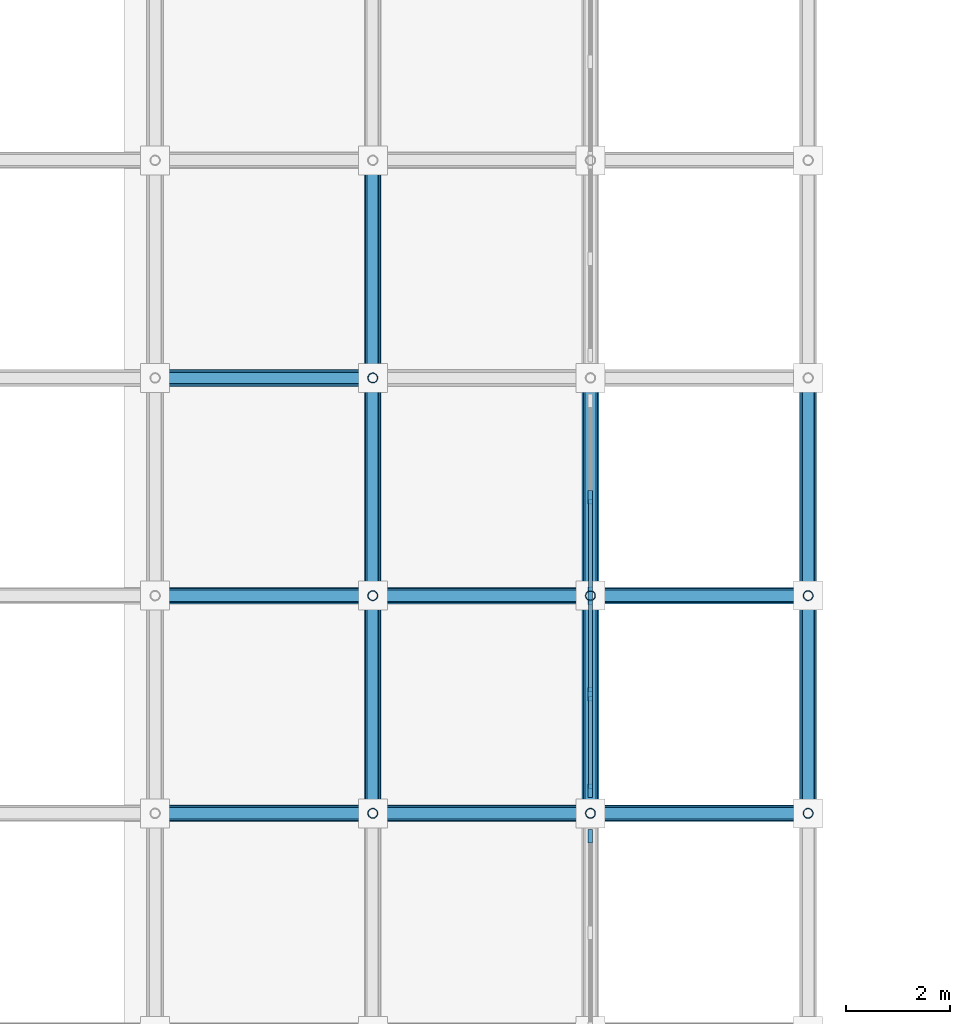
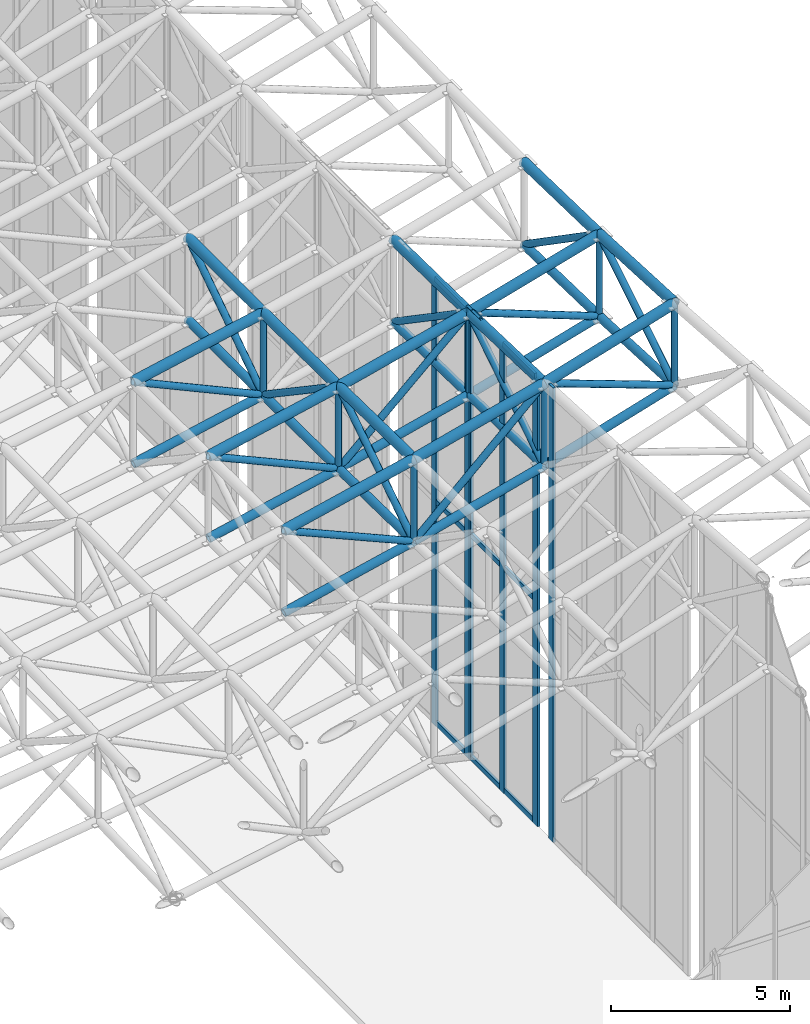
# One storey, part 41 of 93: 64 members, 3 elements without a shape of their own.
"""IFC4 building model written with IfcOpenShell, lengths in metres."""

from ifc_helpers import new_model, si_unit, direction, frame, origin, origin_2d, place, context, subcontext, project, spatial, rectangle, hollow_circle, extrude, material, material_profile, profile_set, type_object, element, aggregate, save


model = new_model("IFC4")

# Units and contexts
model_context = context("Model", 3, precision=1e-05, world=origin(), true_north=direction((0.0, 1.0)))
body_context = subcontext(model_context, "Body", "Model", "MODEL_VIEW")
ifc_project = project(units=[si_unit("LENGTHUNIT", "METRE"), si_unit("AREAUNIT", "SQUARE_METRE"), si_unit("VOLUMEUNIT", "CUBIC_METRE"), si_unit("PLANEANGLEUNIT", "RADIAN"), si_unit("MASSUNIT", "GRAM", prefix="KILO")], contexts=[model_context])

# Site, building, storey
site_placement = place(None, origin())
site = spatial("IfcSite", under=ifc_project, at=site_placement, CompositionType="ELEMENT")
building_placement = place(site_placement, origin())
building = spatial("IfcBuilding", under=site, at=building_placement, Name="Cumbredor Promenade Congress Hotel", CompositionType="ELEMENT")
storey_placement = place(building_placement, frame((0.0, 0.0, 21.840087890625)))
storey = spatial("IfcBuildingStorey", under=building, at=storey_placement, Name="L06", CompositionType="ELEMENT", Elevation=21.840087890625)

# Curtain wall, member
ifc_material_1 = material(Name="Thermally broken anodized aluminium and low-E glass", Category="aluminium")
curtain_wall_type = type_object("IfcCurtainWallType", Name="Stepped Pavilion Clerestory Curtain Wall CW-06", PredefinedType="NOTDEFINED", material=ifc_material_1)
curtain_wall_1_placement = place(storey_placement, origin())
curtain_wall_1 = element("IfcCurtainWall", 1, at=curtain_wall_1_placement, inside=storey, type_object=curtain_wall_type, Name="Plenary Congress Hall E Glazed Clerestory 4", PredefinedType="NOTDEFINED")
ifc_material_2 = material(Name="Thermally broken anodized aluminium", Category="aluminium")
ifc_material_profile_1 = material_profile(ifc_material_2, rectangle(XDim=0.0849609375, YDim=0.260009765625, at=origin_2d()), Name="ALU MULLION CLERESTORY 85x260")
ifc_profile_set_1 = profile_set([ifc_material_profile_1], Name="Thermally broken anodized aluminium")
member_type_1 = type_object("IfcMemberType", Name="Curtain Wall Mullion ML-04", PredefinedType="MULLION", material=ifc_profile_set_1)
member_1_placement = place(storey_placement, frame((67.199951171875, 24.760009765625, -0.01806640625), z_axis=(0.0, 0.0, 1.0), x_axis=(1.0, 0.0, 0.0)))
member_1 = element("IfcMember", 2, at=member_1_placement, type_object=member_type_1, Name="Plenary Congress Hall E Glazed Clerestory 4 Mullion 3", PredefinedType="MULLION", context=body_context, shape_type="SweptSolid", body=[
    extrude(rectangle(XDim=0.0849609375, YDim=0.260009765625, at=origin_2d()), origin(), (0.0, 0.0, 1.0), 15.48779296875),
])
aggregate(curtain_wall_1, [member_1])

# Curtain wall, members
curtain_wall_2_placement = place(storey_placement, origin())
curtain_wall_2 = element("IfcCurtainWall", 3, at=curtain_wall_2_placement, inside=storey, type_object=curtain_wall_type, Name="Plenary Congress Hall E Glazed Clerestory 5", PredefinedType="NOTDEFINED")
member_2_placement = place(storey_placement, frame((67.199951171875, 25.639892578125, -0.01806640625), z_axis=(0.0, 0.0, 1.0), x_axis=(1.0, 0.0, 0.0)))
member_2 = element("IfcMember", 4, at=member_2_placement, type_object=member_type_1, Name="Plenary Congress Hall E Glazed Clerestory 5 Mullion 1", PredefinedType="MULLION", context=body_context, shape_type="SweptSolid", body=[
    extrude(rectangle(XDim=0.0849609375, YDim=0.260009765625, at=origin_2d()), origin(), (0.0, 0.0, 1.0), 15.355712890625),
])
member_3_placement = place(storey_placement, frame((67.199951171875, 27.5, -0.01806640625), z_axis=(0.0, 0.0, 1.0), x_axis=(1.0, 0.0, 0.0)))
member_3 = element("IfcMember", 5, at=member_3_placement, type_object=member_type_1, Name="Plenary Congress Hall E Glazed Clerestory 5 Mullion 2", PredefinedType="MULLION", context=body_context, shape_type="SweptSolid", body=[
    extrude(rectangle(XDim=0.0849609375, YDim=0.260009765625, at=origin_2d()), origin(), (0.0, 0.0, 1.0), 15.355712890625),
])
member_4_placement = place(storey_placement, frame((67.199951171875, 29.360107421875, -0.01806640625), z_axis=(0.0, 0.0, 1.0), x_axis=(1.0, 0.0, 0.0)))
member_4 = element("IfcMember", 6, at=member_4_placement, type_object=member_type_1, Name="Plenary Congress Hall E Glazed Clerestory 5 Mullion 3", PredefinedType="MULLION", context=body_context, shape_type="SweptSolid", body=[
    extrude(rectangle(XDim=0.0849609375, YDim=0.260009765625, at=origin_2d()), origin(), (0.0, 0.0, 1.0), 15.355712890625),
])

curtain_wall_3_placement = place(storey_placement, origin())
curtain_wall_3 = element("IfcCurtainWall", 7, at=curtain_wall_3_placement, inside=storey, type_object=curtain_wall_type, Name="Plenary Congress Hall E Glazed Clerestory 6", PredefinedType="NOTDEFINED")
member_5_placement = place(storey_placement, frame((67.199951171875, 29.43994140625, -0.01806640625), z_axis=(0.0, 0.0, 1.0), x_axis=(1.0, 0.0, 0.0)))
member_5 = element("IfcMember", 8, at=member_5_placement, type_object=member_type_1, Name="Plenary Congress Hall E Glazed Clerestory 6 Mullion 1", PredefinedType="MULLION", context=body_context, shape_type="SweptSolid", body=[
    extrude(rectangle(XDim=0.0849609375, YDim=0.260009765625, at=origin_2d()), origin(), (0.0, 0.0, 1.0), 15.290283203125),
])
member_6_placement = place(storey_placement, frame((67.199951171875, 31.300048828125, -0.01806640625), z_axis=(0.0, 0.0, 1.0), x_axis=(1.0, 0.0, 0.0)))
member_6 = element("IfcMember", 9, at=member_6_placement, type_object=member_type_1, Name="Plenary Congress Hall E Glazed Clerestory 6 Mullion 2", PredefinedType="MULLION", context=body_context, shape_type="SweptSolid", body=[
    extrude(rectangle(XDim=0.0849609375, YDim=0.260009765625, at=origin_2d()), origin(), (0.0, 0.0, 1.0), 15.290283203125),
])

# Member
ifc_material_profile_2 = material_profile(ifc_material_2, rectangle(XDim=0.080078125, YDim=0.179931640625, at=origin_2d()), Name="ALU TRANSOM 80x180")
ifc_profile_set_2 = profile_set([ifc_material_profile_2], Name="Thermally broken anodized aluminium")
member_type_2 = type_object("IfcMemberType", Name="Curtain Wall Transom TR-03", PredefinedType="USERDEFINED", material=ifc_profile_set_2)
member_7_placement = place(storey_placement, frame((67.199951171875, 25.6826171875, 0.079833984375), z_axis=(0.0, 1.0, 0.0), x_axis=(-1.0, 0.0, 0.0)))
member_7 = element("IfcMember", 10, at=member_7_placement, type_object=member_type_2, Name="Plenary Congress Hall E Glazed Clerestory 5 Transom 1.1", ObjectType="TRANSOM", PredefinedType="USERDEFINED", context=body_context, shape_type="SweptSolid", body=[
    extrude(rectangle(XDim=0.080078125, YDim=0.179931640625, at=origin_2d()), origin(), (0.0, 0.0, 1.0), 1.77490234375),
])

member_8_placement = place(storey_placement, frame((67.199951171875, 25.6826171875, 7.659912109375), z_axis=(0.0, 1.0, 0.0), x_axis=(-1.0, 0.0, 0.0)))
member_8 = element("IfcMember", 11, at=member_8_placement, type_object=member_type_2, Name="Plenary Congress Hall E Glazed Clerestory 5 Transom 1.2", ObjectType="TRANSOM", PredefinedType="USERDEFINED", context=body_context, shape_type="SweptSolid", body=[
    extrude(rectangle(XDim=0.080078125, YDim=0.179931640625, at=origin_2d()), origin(), (0.0, 0.0, 1.0), 1.77490234375),
])

member_9_placement = place(storey_placement, frame((67.199951171875, 25.6826171875, 15.239990234375), z_axis=(0.0, 1.0, 0.0), x_axis=(-1.0, 0.0, 0.0)))
member_9 = element("IfcMember", 12, at=member_9_placement, type_object=member_type_2, Name="Plenary Congress Hall E Glazed Clerestory 5 Transom 1.3", ObjectType="TRANSOM", PredefinedType="USERDEFINED", context=body_context, shape_type="SweptSolid", body=[
    extrude(rectangle(XDim=0.080078125, YDim=0.179931640625, at=origin_2d()), origin(), (0.0, 0.0, 1.0), 1.77490234375),
])

member_10_placement = place(storey_placement, frame((67.199951171875, 27.54248046875, 0.079833984375), z_axis=(0.0, 1.0, 0.0), x_axis=(-1.0, 0.0, 0.0)))
member_10 = element("IfcMember", 13, at=member_10_placement, type_object=member_type_2, Name="Plenary Congress Hall E Glazed Clerestory 5 Transom 2.1", ObjectType="TRANSOM", PredefinedType="USERDEFINED", context=body_context, shape_type="SweptSolid", body=[
    extrude(rectangle(XDim=0.080078125, YDim=0.179931640625, at=origin_2d()), origin(), (0.0, 0.0, 1.0), 1.77490234375),
])

member_11_placement = place(storey_placement, frame((67.199951171875, 27.54248046875, 7.659912109375), z_axis=(0.0, 1.0, 0.0), x_axis=(-1.0, 0.0, 0.0)))
member_11 = element("IfcMember", 14, at=member_11_placement, type_object=member_type_2, Name="Plenary Congress Hall E Glazed Clerestory 5 Transom 2.2", ObjectType="TRANSOM", PredefinedType="USERDEFINED", context=body_context, shape_type="SweptSolid", body=[
    extrude(rectangle(XDim=0.080078125, YDim=0.179931640625, at=origin_2d()), origin(), (0.0, 0.0, 1.0), 1.77490234375),
])

member_12_placement = place(storey_placement, frame((67.199951171875, 27.54248046875, 15.239990234375), z_axis=(0.0, 1.0, 0.0), x_axis=(-1.0, 0.0, 0.0)))
member_12 = element("IfcMember", 15, at=member_12_placement, type_object=member_type_2, Name="Plenary Congress Hall E Glazed Clerestory 5 Transom 2.3", ObjectType="TRANSOM", PredefinedType="USERDEFINED", context=body_context, shape_type="SweptSolid", body=[
    extrude(rectangle(XDim=0.080078125, YDim=0.179931640625, at=origin_2d()), origin(), (0.0, 0.0, 1.0), 1.77490234375),
])

aggregate(curtain_wall_2, [member_2, member_3, member_4, member_7, member_8, member_9, member_10, member_11, member_12])

member_13_placement = place(storey_placement, frame((67.199951171875, 29.482421875, 0.079833984375), z_axis=(0.0, 1.0, 0.0), x_axis=(-1.0, 0.0, 0.0)))
member_13 = element("IfcMember", 16, at=member_13_placement, type_object=member_type_2, Name="Plenary Congress Hall E Glazed Clerestory 6 Transom 1.1", ObjectType="TRANSOM", PredefinedType="USERDEFINED", context=body_context, shape_type="SweptSolid", body=[
    extrude(rectangle(XDim=0.080078125, YDim=0.179931640625, at=origin_2d()), origin(), (0.0, 0.0, 1.0), 1.775146484375),
])

member_14_placement = place(storey_placement, frame((67.199951171875, 29.482421875, 7.619873046875), z_axis=(0.0, 1.0, 0.0), x_axis=(-1.0, 0.0, 0.0)))
member_14 = element("IfcMember", 17, at=member_14_placement, type_object=member_type_2, Name="Plenary Congress Hall E Glazed Clerestory 6 Transom 1.2", ObjectType="TRANSOM", PredefinedType="USERDEFINED", context=body_context, shape_type="SweptSolid", body=[
    extrude(rectangle(XDim=0.080078125, YDim=0.179931640625, at=origin_2d()), origin(), (0.0, 0.0, 1.0), 1.775146484375),
])

member_15_placement = place(storey_placement, frame((67.199951171875, 29.482421875, 15.169921875), z_axis=(0.0, 1.0, 0.0), x_axis=(-1.0, 0.0, 0.0)))
member_15 = element("IfcMember", 18, at=member_15_placement, type_object=member_type_2, Name="Plenary Congress Hall E Glazed Clerestory 6 Transom 1.3", ObjectType="TRANSOM", PredefinedType="USERDEFINED", context=body_context, shape_type="SweptSolid", body=[
    extrude(rectangle(XDim=0.080078125, YDim=0.179931640625, at=origin_2d()), origin(), (0.0, 0.0, 1.0), 1.775146484375),
])

aggregate(curtain_wall_3, [member_5, member_6, member_13, member_14, member_15])

# Members
ifc_material_3 = material(Name="Steel ASTM A500 Grade C", Category="steel")
ifc_material_profile_3 = material_profile(ifc_material_3, hollow_circle(Radius=0.136474609375, WallThickness=0.01611328125, at=origin_2d()), Name="CHS 273.0x16")
ifc_profile_set_3 = profile_set([ifc_material_profile_3], Name="Steel ASTM A500 Grade C")
member_type_3 = type_object("IfcMemberType", Name="Plenary Roof Space Frame Bottom Chord", PredefinedType="CHORD", material=ifc_profile_set_3)
member_16_placement = place(storey_placement, frame((58.800048828125, 25.199951171875, 10.40380859375), z_axis=(0.974613195846, 0.0, 0.223895329302), x_axis=(0.0, 1.0, 0.0)))
element("IfcMember", 19, at=member_16_placement, inside=storey, type_object=member_type_3, Name="Plenary Congress Hall X Bottom Chord 16.7", PredefinedType="CHORD", context=body_context, shape_type="SweptSolid", body=[
    extrude(hollow_circle(Radius=0.136474609375, WallThickness=0.01611328125, at=origin_2d()), origin(), (0.0, 0.0, 1.0), 4.309326171875),
])
member_17_placement = place(storey_placement, frame((63.0, 25.199951171875, 11.36865234375), z_axis=(0.966632009947, 0.0, 0.256169001532), x_axis=(0.0, 1.0, 0.0)))
element("IfcMember", 20, at=member_17_placement, inside=storey, type_object=member_type_3, Name="Plenary Congress Hall X Bottom Chord 17.7", PredefinedType="CHORD", context=body_context, shape_type="SweptSolid", body=[
    extrude(hollow_circle(Radius=0.136474609375, WallThickness=0.01611328125, at=origin_2d()), origin(), (0.0, 0.0, 1.0), 4.344970703125),
])
member_18_placement = place(storey_placement, frame((67.199951171875, 25.199951171875, 12.481689453125), z_axis=(0.957410180843, 0.0, 0.288731268861), x_axis=(0.0, 1.0, 0.0)))
element("IfcMember", 21, at=member_18_placement, inside=storey, type_object=member_type_3, Name="Plenary Congress Hall X Bottom Chord 18.7", PredefinedType="CHORD", context=body_context, shape_type="SweptSolid", body=[
    extrude(hollow_circle(Radius=0.136474609375, WallThickness=0.01611328125, at=origin_2d()), origin(), (0.0, 0.0, 1.0), 4.38671875),
])
member_19_placement = place(storey_placement, frame((58.800048828125, 29.39990234375, 10.3876953125), z_axis=(0.977279815968, 0.0, 0.211953205451), x_axis=(0.0, 1.0, 0.0)))
element("IfcMember", 22, at=member_19_placement, inside=storey, type_object=member_type_3, Name="Plenary Congress Hall X Bottom Chord 16.8", PredefinedType="CHORD", context=body_context, shape_type="SweptSolid", body=[
    extrude(hollow_circle(Radius=0.136474609375, WallThickness=0.01611328125, at=origin_2d()), origin(), (0.0, 0.0, 1.0), 4.297607421875),
])
member_20_placement = place(storey_placement, frame((63.0, 29.39990234375, 11.298583984375), z_axis=(0.970086083405, 0.0, 0.242761180553), x_axis=(0.0, 1.0, 0.0)))
element("IfcMember", 23, at=member_20_placement, inside=storey, type_object=member_type_3, Name="Plenary Congress Hall X Bottom Chord 17.8", PredefinedType="CHORD", context=body_context, shape_type="SweptSolid", body=[
    extrude(hollow_circle(Radius=0.136474609375, WallThickness=0.01611328125, at=origin_2d()), origin(), (0.0, 0.0, 1.0), 4.329345703125),
])
member_21_placement = place(storey_placement, frame((67.199951171875, 29.39990234375, 12.349609375), z_axis=(0.961806149234, 0.0, 0.273731494893), x_axis=(0.0, 1.0, 0.0)))
element("IfcMember", 24, at=member_21_placement, inside=storey, type_object=member_type_3, Name="Plenary Congress Hall X Bottom Chord 18.8", PredefinedType="CHORD", context=body_context, shape_type="SweptSolid", body=[
    extrude(hollow_circle(Radius=0.136474609375, WallThickness=0.01611328125, at=origin_2d()), origin(), (0.0, 0.0, 1.0), 4.36669921875),
])
member_22_placement = place(storey_placement, frame((58.800048828125, 33.60009765625, 10.379638671875), z_axis=(0.978557630203, 0.0, 0.205973212752), x_axis=(0.0, 1.0, 0.0)))
element("IfcMember", 25, at=member_22_placement, inside=storey, type_object=member_type_3, Name="Plenary Congress Hall X Bottom Chord 16.9", PredefinedType="CHORD", context=body_context, shape_type="SweptSolid", body=[
    extrude(hollow_circle(Radius=0.136474609375, WallThickness=0.01611328125, at=origin_2d()), origin(), (0.0, 0.0, 1.0), 4.2919921875),
])
for number, where, z_axis, x_axis, name in (
    (26, (63.0, 25.199951171875, 11.36865234375), (0.0, 0.999860865519, -0.016680815463), (-1.0, 0.0, 0.0), "Plenary Congress Hall Y Bottom Chord 17.7"),
    (27, (63.0, 29.39990234375, 11.298583984375), (0.0, 0.999965456948, -0.008311733338), (-1.0, 0.0, 0.0), "Plenary Congress Hall Y Bottom Chord 17.8"),
):
    element("IfcMember", number, at=place(storey_placement, frame(where, z_axis=z_axis, x_axis=x_axis)), inside=storey, type_object=member_type_3, Name=name, PredefinedType="CHORD", context=body_context, shape_type="SweptSolid", body=[
        extrude(hollow_circle(Radius=0.136474609375, WallThickness=0.01611328125, at=origin_2d()), origin(), (0.0, 0.0, 1.0), 4.200439453125),
    ])
member_23_placement = place(storey_placement, frame((63.0, 33.60009765625, 11.263671875), z_axis=(0.0, 1.0, 0.0), x_axis=(-1.0, 0.0, 0.0)))
element("IfcMember", 28, at=member_23_placement, inside=storey, type_object=member_type_3, Name="Plenary Congress Hall Y Bottom Chord 17.9", PredefinedType="CHORD", context=body_context, shape_type="SweptSolid", body=[
    extrude(hollow_circle(Radius=0.136474609375, WallThickness=0.01611328125, at=origin_2d()), origin(), (0.0, 0.0, 1.0), 4.199951171875),
])
member_24_placement = place(storey_placement, frame((67.199951171875, 25.199951171875, 12.481689453125), z_axis=(0.0, 0.999505878022, -0.031432464106), x_axis=(-1.0, 0.0, 0.0)))
element("IfcMember", 29, at=member_24_placement, inside=storey, type_object=member_type_3, Name="Plenary Congress Hall Y Bottom Chord 18.7", PredefinedType="CHORD", context=body_context, shape_type="SweptSolid", body=[
    extrude(hollow_circle(Radius=0.136474609375, WallThickness=0.01611328125, at=origin_2d()), origin(), (0.0, 0.0, 1.0), 4.2021484375),
])
member_25_placement = place(storey_placement, frame((67.199951171875, 29.39990234375, 12.349609375), z_axis=(0.0, 0.999878688579, -0.015575882849), x_axis=(-1.0, 0.0, 0.0)))
element("IfcMember", 30, at=member_25_placement, inside=storey, type_object=member_type_3, Name="Plenary Congress Hall Y Bottom Chord 18.8", PredefinedType="CHORD", context=body_context, shape_type="SweptSolid", body=[
    extrude(hollow_circle(Radius=0.136474609375, WallThickness=0.01611328125, at=origin_2d()), origin(), (0.0, 0.0, 1.0), 4.20068359375),
])
member_26_placement = place(storey_placement, frame((71.39990234375, 25.199951171875, 13.748291015625), z_axis=(0.0, 0.99882972281, -0.048365119985), x_axis=(-1.0, 0.0, 0.0)))
element("IfcMember", 31, at=member_26_placement, inside=storey, type_object=member_type_3, Name="Plenary Congress Hall Y Bottom Chord 19.7", PredefinedType="CHORD", context=body_context, shape_type="SweptSolid", body=[
    extrude(hollow_circle(Radius=0.136474609375, WallThickness=0.01611328125, at=origin_2d()), origin(), (0.0, 0.0, 1.0), 4.204833984375),
])
member_27_placement = place(storey_placement, frame((71.39990234375, 29.39990234375, 13.544921875), z_axis=(0.0, 0.999707781705, -0.024173357195), x_axis=(-1.0, 0.0, 0.0)))
element("IfcMember", 32, at=member_27_placement, inside=storey, type_object=member_type_3, Name="Plenary Congress Hall Y Bottom Chord 19.8", PredefinedType="CHORD", context=body_context, shape_type="SweptSolid", body=[
    extrude(hollow_circle(Radius=0.136474609375, WallThickness=0.01611328125, at=origin_2d()), origin(), (0.0, 0.0, 1.0), 4.201416015625),
])
ifc_material_profile_4 = material_profile(ifc_material_3, hollow_circle(Radius=0.161865234375, WallThickness=0.01611328125, at=origin_2d()), Name="CHS 323.9x16")
ifc_profile_set_4 = profile_set([ifc_material_profile_4], Name="Steel ASTM A500 Grade C")
member_type_4 = type_object("IfcMemberType", Name="Plenary Roof Space Frame Top Chord", PredefinedType="CHORD", material=ifc_profile_set_4)
member_28_placement = place(storey_placement, frame((58.800048828125, 25.199951171875, 13.20361328125), z_axis=(0.974600832042, 0.0, 0.223949141956), x_axis=(0.0, 1.0, 0.0)))
element("IfcMember", 33, at=member_28_placement, inside=storey, type_object=member_type_4, Name="Plenary Congress Hall X Top Chord 16.7", PredefinedType="CHORD", context=body_context, shape_type="SweptSolid", body=[
    extrude(hollow_circle(Radius=0.161865234375, WallThickness=0.01611328125, at=origin_2d()), origin(), (0.0, 0.0, 1.0), 4.309326171875),
])
member_29_placement = place(storey_placement, frame((63.0, 25.199951171875, 14.168701171875), z_axis=(0.966645922489, 0.0, 0.256116497977), x_axis=(0.0, 1.0, 0.0)))
element("IfcMember", 34, at=member_29_placement, inside=storey, type_object=member_type_4, Name="Plenary Congress Hall X Top Chord 17.7", PredefinedType="CHORD", context=body_context, shape_type="SweptSolid", body=[
    extrude(hollow_circle(Radius=0.161865234375, WallThickness=0.01611328125, at=origin_2d()), origin(), (0.0, 0.0, 1.0), 4.344970703125),
])
member_30_placement = place(storey_placement, frame((67.199951171875, 25.199951171875, 15.281494140625), z_axis=(0.957394795149, 0.0, 0.288782281697), x_axis=(0.0, 1.0, 0.0)))
element("IfcMember", 35, at=member_30_placement, inside=storey, type_object=member_type_4, Name="Plenary Congress Hall X Top Chord 18.7", PredefinedType="CHORD", context=body_context, shape_type="SweptSolid", body=[
    extrude(hollow_circle(Radius=0.161865234375, WallThickness=0.01611328125, at=origin_2d()), origin(), (0.0, 0.0, 1.0), 4.386962890625),
])
member_31_placement = place(storey_placement, frame((58.800048828125, 29.39990234375, 13.1875), z_axis=(0.97726804739, 0.0, 0.212007461074), x_axis=(0.0, 1.0, 0.0)))
element("IfcMember", 36, at=member_31_placement, inside=storey, type_object=member_type_4, Name="Plenary Congress Hall X Top Chord 16.8", PredefinedType="CHORD", context=body_context, shape_type="SweptSolid", body=[
    extrude(hollow_circle(Radius=0.161865234375, WallThickness=0.01611328125, at=origin_2d()), origin(), (0.0, 0.0, 1.0), 4.297607421875),
])
member_32_placement = place(storey_placement, frame((63.0, 29.39990234375, 14.0986328125), z_axis=(0.970086083405, 0.0, 0.242761180553), x_axis=(0.0, 1.0, 0.0)))
element("IfcMember", 37, at=member_32_placement, inside=storey, type_object=member_type_4, Name="Plenary Congress Hall X Top Chord 17.8", PredefinedType="CHORD", context=body_context, shape_type="SweptSolid", body=[
    extrude(hollow_circle(Radius=0.161865234375, WallThickness=0.01611328125, at=origin_2d()), origin(), (0.0, 0.0, 1.0), 4.329345703125),
])
member_33_placement = place(storey_placement, frame((67.199951171875, 29.39990234375, 15.149658203125), z_axis=(0.961806149234, 0.0, 0.273731494893), x_axis=(0.0, 1.0, 0.0)))
element("IfcMember", 38, at=member_33_placement, inside=storey, type_object=member_type_4, Name="Plenary Congress Hall X Top Chord 18.8", PredefinedType="CHORD", context=body_context, shape_type="SweptSolid", body=[
    extrude(hollow_circle(Radius=0.161865234375, WallThickness=0.01611328125, at=origin_2d()), origin(), (0.0, 0.0, 1.0), 4.36669921875),
])
member_34_placement = place(storey_placement, frame((58.800048828125, 33.60009765625, 13.1796875), z_axis=(0.978557630203, 0.0, 0.205973212752), x_axis=(0.0, 1.0, 0.0)))
element("IfcMember", 39, at=member_34_placement, inside=storey, type_object=member_type_4, Name="Plenary Congress Hall X Top Chord 16.9", PredefinedType="CHORD", context=body_context, shape_type="SweptSolid", body=[
    extrude(hollow_circle(Radius=0.161865234375, WallThickness=0.01611328125, at=origin_2d()), origin(), (0.0, 0.0, 1.0), 4.2919921875),
])
for number, where, z_axis, x_axis, name in (
    (40, (63.0, 25.199951171875, 14.168701171875), (0.0, 0.999860865519, -0.016680815463), (-1.0, 0.0, 0.0), "Plenary Congress Hall Y Top Chord 17.7"),
    (41, (63.0, 29.39990234375, 14.0986328125), (0.0, 0.999965456948, -0.008311733338), (-1.0, 0.0, 0.0), "Plenary Congress Hall Y Top Chord 17.8"),
):
    element("IfcMember", number, at=place(storey_placement, frame(where, z_axis=z_axis, x_axis=x_axis)), inside=storey, type_object=member_type_4, Name=name, PredefinedType="CHORD", context=body_context, shape_type="SweptSolid", body=[
        extrude(hollow_circle(Radius=0.161865234375, WallThickness=0.01611328125, at=origin_2d()), origin(), (0.0, 0.0, 1.0), 4.200439453125),
    ])
member_35_placement = place(storey_placement, frame((63.0, 33.60009765625, 14.063720703125), z_axis=(0.0, 1.0, 0.0), x_axis=(-1.0, 0.0, 0.0)))
element("IfcMember", 42, at=member_35_placement, inside=storey, type_object=member_type_4, Name="Plenary Congress Hall Y Top Chord 17.9", PredefinedType="CHORD", context=body_context, shape_type="SweptSolid", body=[
    extrude(hollow_circle(Radius=0.161865234375, WallThickness=0.01611328125, at=origin_2d()), origin(), (0.0, 0.0, 1.0), 4.199951171875),
])
member_36_placement = place(storey_placement, frame((67.199951171875, 25.199951171875, 15.281494140625), z_axis=(0.0, 0.999507701685, -0.031374420677), x_axis=(-1.0, 0.0, 0.0)))
element("IfcMember", 43, at=member_36_placement, inside=storey, type_object=member_type_4, Name="Plenary Congress Hall Y Top Chord 18.7", PredefinedType="CHORD", context=body_context, shape_type="SweptSolid", body=[
    extrude(hollow_circle(Radius=0.161865234375, WallThickness=0.01611328125, at=origin_2d()), origin(), (0.0, 0.0, 1.0), 4.201904296875),
])
member_37_placement = place(storey_placement, frame((67.199951171875, 29.39990234375, 15.149658203125), z_axis=(0.0, 0.999878688579, -0.015575882849), x_axis=(-1.0, 0.0, 0.0)))
element("IfcMember", 44, at=member_37_placement, inside=storey, type_object=member_type_4, Name="Plenary Congress Hall Y Top Chord 18.8", PredefinedType="CHORD", context=body_context, shape_type="SweptSolid", body=[
    extrude(hollow_circle(Radius=0.161865234375, WallThickness=0.01611328125, at=origin_2d()), origin(), (0.0, 0.0, 1.0), 4.20068359375),
])
member_38_placement = place(storey_placement, frame((71.39990234375, 25.199951171875, 16.54833984375), z_axis=(0.0, 0.99882972281, -0.048365119985), x_axis=(-1.0, 0.0, 0.0)))
element("IfcMember", 45, at=member_38_placement, inside=storey, type_object=member_type_4, Name="Plenary Congress Hall Y Top Chord 19.7", PredefinedType="CHORD", context=body_context, shape_type="SweptSolid", body=[
    extrude(hollow_circle(Radius=0.161865234375, WallThickness=0.01611328125, at=origin_2d()), origin(), (0.0, 0.0, 1.0), 4.204833984375),
])
member_39_placement = place(storey_placement, frame((71.39990234375, 29.39990234375, 16.344970703125), z_axis=(0.0, 0.999707781705, -0.024173357195), x_axis=(-1.0, 0.0, 0.0)))
element("IfcMember", 46, at=member_39_placement, inside=storey, type_object=member_type_4, Name="Plenary Congress Hall Y Top Chord 19.8", PredefinedType="CHORD", context=body_context, shape_type="SweptSolid", body=[
    extrude(hollow_circle(Radius=0.161865234375, WallThickness=0.01611328125, at=origin_2d()), origin(), (0.0, 0.0, 1.0), 4.201416015625),
])
ifc_material_profile_5 = material_profile(ifc_material_3, hollow_circle(Radius=0.109619140625, WallThickness=0.012451171875, at=origin_2d()), Name="CHS 219.1x12.5")
ifc_profile_set_5 = profile_set([ifc_material_profile_5], Name="Steel ASTM A500 Grade C")
member_type_5 = type_object("IfcMemberType", Name="Space Frame Web Diagonal D1", PredefinedType="BRACE", material=ifc_profile_set_5)
member_40_placement = place(storey_placement, frame((58.800048828125, 25.199951171875, 13.20361328125), z_axis=(0.916358936382, 0.0, -0.400357714692), x_axis=(0.0, 1.0, 0.0)))
element("IfcMember", 47, at=member_40_placement, inside=storey, type_object=member_type_5, Name="Plenary Congress Hall X Web Diagonal 16.7", PredefinedType="BRACE", context=body_context, shape_type="SweptSolid", body=[
    extrude(hollow_circle(Radius=0.109619140625, WallThickness=0.012451171875, at=origin_2d()), origin(), (0.0, 0.0, 1.0), 4.583251953125),
])
member_41_placement = place(storey_placement, frame((63.0, 25.199951171875, 11.36865234375), z_axis=(0.731673041976, 0.0, 0.681655748634), x_axis=(0.0, 1.0, 0.0)))
element("IfcMember", 48, at=member_41_placement, inside=storey, type_object=member_type_5, Name="Plenary Congress Hall X Web Diagonal 17.7", PredefinedType="BRACE", context=body_context, shape_type="SweptSolid", body=[
    extrude(hollow_circle(Radius=0.109619140625, WallThickness=0.012451171875, at=origin_2d()), origin(), (0.0, 0.0, 1.0), 5.740234375),
])
member_42_placement = place(storey_placement, frame((67.199951171875, 25.199951171875, 15.281494140625), z_axis=(0.939365416794, 0.0, -0.342917794423), x_axis=(0.0, 1.0, 0.0)))
element("IfcMember", 49, at=member_42_placement, inside=storey, type_object=member_type_5, Name="Plenary Congress Hall X Web Diagonal 18.7", PredefinedType="BRACE", context=body_context, shape_type="SweptSolid", body=[
    extrude(hollow_circle(Radius=0.109619140625, WallThickness=0.012451171875, at=origin_2d()), origin(), (0.0, 0.0, 1.0), 4.470947265625),
])
member_43_placement = place(storey_placement, frame((58.800048828125, 29.39990234375, 13.1875), z_axis=(0.912007785058, 0.0, -0.410172890368), x_axis=(0.0, 1.0, 0.0)))
element("IfcMember", 50, at=member_43_placement, inside=storey, type_object=member_type_5, Name="Plenary Congress Hall X Web Diagonal 16.8", PredefinedType="BRACE", context=body_context, shape_type="SweptSolid", body=[
    extrude(hollow_circle(Radius=0.109619140625, WallThickness=0.012451171875, at=origin_2d()), origin(), (0.0, 0.0, 1.0), 4.605224609375),
])
member_44_placement = place(storey_placement, frame((63.0, 29.39990234375, 11.298583984375), z_axis=(0.737056317359, 0.0, 0.675831328839), x_axis=(0.0, 1.0, 0.0)))
element("IfcMember", 51, at=member_44_placement, inside=storey, type_object=member_type_5, Name="Plenary Congress Hall X Web Diagonal 17.8", PredefinedType="BRACE", context=body_context, shape_type="SweptSolid", body=[
    extrude(hollow_circle(Radius=0.109619140625, WallThickness=0.012451171875, at=origin_2d()), origin(), (0.0, 0.0, 1.0), 5.6982421875),
])
member_45_placement = place(storey_placement, frame((67.199951171875, 29.39990234375, 15.149658203125), z_axis=(0.934135452848, 0.0, -0.356918696249), x_axis=(0.0, 1.0, 0.0)))
element("IfcMember", 52, at=member_45_placement, inside=storey, type_object=member_type_5, Name="Plenary Congress Hall X Web Diagonal 18.8", PredefinedType="BRACE", context=body_context, shape_type="SweptSolid", body=[
    extrude(hollow_circle(Radius=0.109619140625, WallThickness=0.012451171875, at=origin_2d()), origin(), (0.0, 0.0, 1.0), 4.49609375),
])
member_46_placement = place(storey_placement, frame((58.800048828125, 33.60009765625, 13.1796875), z_axis=(0.90979872818, 0.0, -0.415049724976), x_axis=(0.0, 1.0, 0.0)))
element("IfcMember", 53, at=member_46_placement, inside=storey, type_object=member_type_5, Name="Plenary Congress Hall X Web Diagonal 16.9", PredefinedType="BRACE", context=body_context, shape_type="SweptSolid", body=[
    extrude(hollow_circle(Radius=0.109619140625, WallThickness=0.012451171875, at=origin_2d()), origin(), (0.0, 0.0, 1.0), 4.616455078125),
])
member_47_placement = place(storey_placement, frame((63.0, 25.199951171875, 11.36865234375), z_axis=(0.0, 0.838442502773, 0.54499006371), x_axis=(-1.0, 0.0, 0.0)))
element("IfcMember", 54, at=member_47_placement, inside=storey, type_object=member_type_5, Name="Plenary Congress Hall Y Web Diagonal 17.7", PredefinedType="BRACE", context=body_context, shape_type="SweptSolid", body=[
    extrude(hollow_circle(Radius=0.109619140625, WallThickness=0.012451171875, at=origin_2d()), origin(), (0.0, 0.0, 1.0), 5.00927734375),
])
member_48_placement = place(storey_placement, frame((63.0, 29.39990234375, 14.0986328125), z_axis=(0.0, 0.828864312656, -0.559449686036), x_axis=(-1.0, 0.0, 0.0)))
element("IfcMember", 55, at=member_48_placement, inside=storey, type_object=member_type_5, Name="Plenary Congress Hall Y Web Diagonal 17.8", PredefinedType="BRACE", context=body_context, shape_type="SweptSolid", body=[
    extrude(hollow_circle(Radius=0.109619140625, WallThickness=0.012451171875, at=origin_2d()), origin(), (0.0, 0.0, 1.0), 5.0673828125),
])
member_49_placement = place(storey_placement, frame((63.0, 33.60009765625, 11.263671875), z_axis=(0.0, 0.832042853317, 0.554711357594), x_axis=(-1.0, 0.0, 0.0)))
element("IfcMember", 56, at=member_49_placement, inside=storey, type_object=member_type_5, Name="Plenary Congress Hall Y Web Diagonal 17.9", PredefinedType="BRACE", context=body_context, shape_type="SweptSolid", body=[
    extrude(hollow_circle(Radius=0.109619140625, WallThickness=0.012451171875, at=origin_2d()), origin(), (0.0, 0.0, 1.0), 5.0478515625),
])
member_50_placement = place(storey_placement, frame((67.199951171875, 25.199951171875, 12.481689453125), z_axis=(0.0, 0.844091559054, 0.53619906745), x_axis=(-1.0, 0.0, 0.0)))
element("IfcMember", 57, at=member_50_placement, inside=storey, type_object=member_type_5, Name="Plenary Congress Hall Y Web Diagonal 18.7", PredefinedType="BRACE", context=body_context, shape_type="SweptSolid", body=[
    extrude(hollow_circle(Radius=0.109619140625, WallThickness=0.012451171875, at=origin_2d()), origin(), (0.0, 0.0, 1.0), 4.9755859375),
])
member_51_placement = place(storey_placement, frame((67.199951171875, 29.39990234375, 15.149658203125), z_axis=(0.0, 0.826070868855, -0.563566251322), x_axis=(-1.0, 0.0, 0.0)))
element("IfcMember", 58, at=member_51_placement, inside=storey, type_object=member_type_5, Name="Plenary Congress Hall Y Web Diagonal 18.8", PredefinedType="BRACE", context=body_context, shape_type="SweptSolid", body=[
    extrude(hollow_circle(Radius=0.109619140625, WallThickness=0.012451171875, at=origin_2d()), origin(), (0.0, 0.0, 1.0), 5.08447265625),
])
member_52_placement = place(storey_placement, frame((71.39990234375, 25.199951171875, 13.748291015625), z_axis=(0.0, 0.850563206611, 0.525872828315), x_axis=(-1.0, 0.0, 0.0)))
element("IfcMember", 59, at=member_52_placement, inside=storey, type_object=member_type_5, Name="Plenary Congress Hall Y Web Diagonal 19.7", PredefinedType="BRACE", context=body_context, shape_type="SweptSolid", body=[
    extrude(hollow_circle(Radius=0.109619140625, WallThickness=0.012451171875, at=origin_2d()), origin(), (0.0, 0.0, 1.0), 4.937744140625),
])
member_53_placement = place(storey_placement, frame((71.39990234375, 29.39990234375, 16.344970703125), z_axis=(0.0, 0.822761648684, -0.568386549326), x_axis=(-1.0, 0.0, 0.0)))
element("IfcMember", 60, at=member_53_placement, inside=storey, type_object=member_type_5, Name="Plenary Congress Hall Y Web Diagonal 19.8", PredefinedType="BRACE", context=body_context, shape_type="SweptSolid", body=[
    extrude(hollow_circle(Radius=0.109619140625, WallThickness=0.012451171875, at=origin_2d()), origin(), (0.0, 0.0, 1.0), 5.10498046875),
])
ifc_material_profile_6 = material_profile(ifc_material_3, hollow_circle(Radius=0.096923828125, WallThickness=0.010009765625, at=origin_2d()), Name="CHS 193.7x10")
ifc_profile_set_6 = profile_set([ifc_material_profile_6], Name="Steel ASTM A500 Grade C")
member_type_6 = type_object("IfcMemberType", Name="Space Frame Web Post P1", PredefinedType="BRACE", material=ifc_profile_set_6)
for number, where, z_axis, x_axis, name in (
    (61, (63.0, 25.199951171875, 11.36865234375), (0.0, 0.0, 1.0), (1.0, 0.0, 0.0), "Plenary Congress Hall Space Frame Web Post 17.7"),
    (62, (63.0, 29.39990234375, 11.298583984375), (0.0, 0.0, 1.0), (1.0, 0.0, 0.0), "Plenary Congress Hall Space Frame Web Post 17.8"),
    (63, (63.0, 33.60009765625, 11.263671875), (0.0, 0.0, 1.0), (1.0, 0.0, 0.0), "Plenary Congress Hall Space Frame Web Post 17.9"),
):
    element("IfcMember", number, at=place(storey_placement, frame(where, z_axis=z_axis, x_axis=x_axis)), inside=storey, type_object=member_type_6, Name=name, PredefinedType="BRACE", context=body_context, shape_type="SweptSolid", body=[
        extrude(hollow_circle(Radius=0.096923828125, WallThickness=0.010009765625, at=origin_2d()), origin(), (0.0, 0.0, 1.0), 2.800048828125),
    ])
member_54_placement = place(storey_placement, frame((67.199951171875, 25.199951171875, 12.481689453125), z_axis=(0.0, 0.0, 1.0), x_axis=(1.0, 0.0, 0.0)))
element("IfcMember", 64, at=member_54_placement, inside=storey, type_object=member_type_6, Name="Plenary Congress Hall Space Frame Web Post 18.7", PredefinedType="BRACE", context=body_context, shape_type="SweptSolid", body=[
    extrude(hollow_circle(Radius=0.096923828125, WallThickness=0.010009765625, at=origin_2d()), origin(), (0.0, 0.0, 1.0), 2.7998046875),
])
for number, where, z_axis, x_axis, name in (
    (65, (67.199951171875, 29.39990234375, 12.349609375), (0.0, 0.0, 1.0), (1.0, 0.0, 0.0), "Plenary Congress Hall Space Frame Web Post 18.8"),
    (66, (71.39990234375, 25.199951171875, 13.748291015625), (0.0, 0.0, 1.0), (1.0, 0.0, 0.0), "Plenary Congress Hall Space Frame Web Post 19.7"),
    (67, (71.39990234375, 29.39990234375, 13.544921875), (0.0, 0.0, 1.0), (1.0, 0.0, 0.0), "Plenary Congress Hall Space Frame Web Post 19.8"),
):
    element("IfcMember", number, at=place(storey_placement, frame(where, z_axis=z_axis, x_axis=x_axis)), inside=storey, type_object=member_type_6, Name=name, PredefinedType="BRACE", context=body_context, shape_type="SweptSolid", body=[
        extrude(hollow_circle(Radius=0.096923828125, WallThickness=0.010009765625, at=origin_2d()), origin(), (0.0, 0.0, 1.0), 2.800048828125),
    ])

save(model, "model.ifc")
